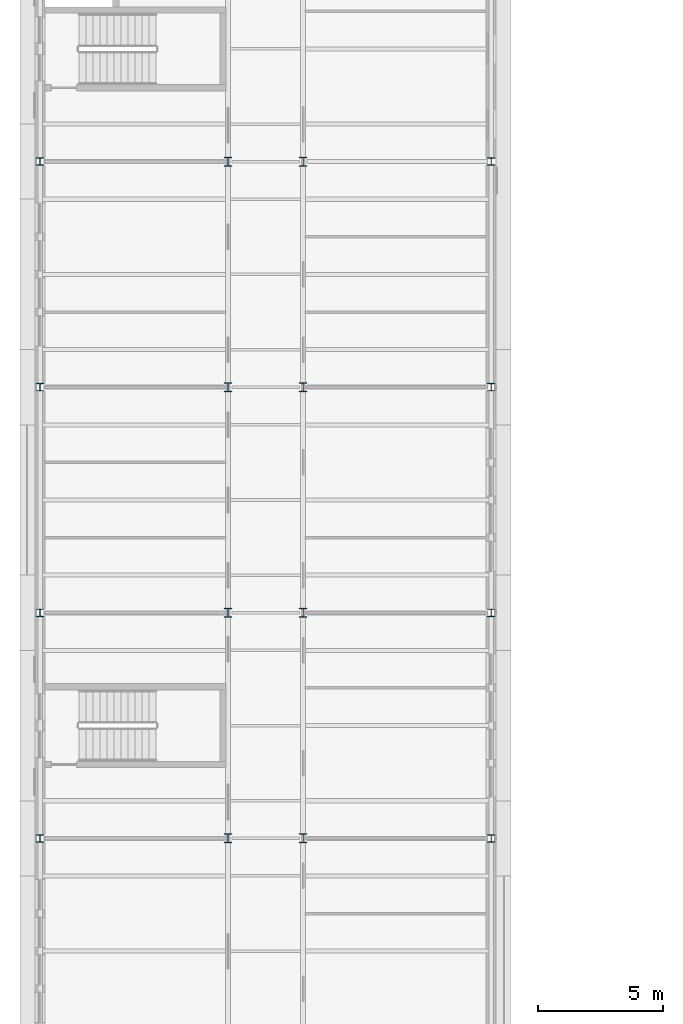
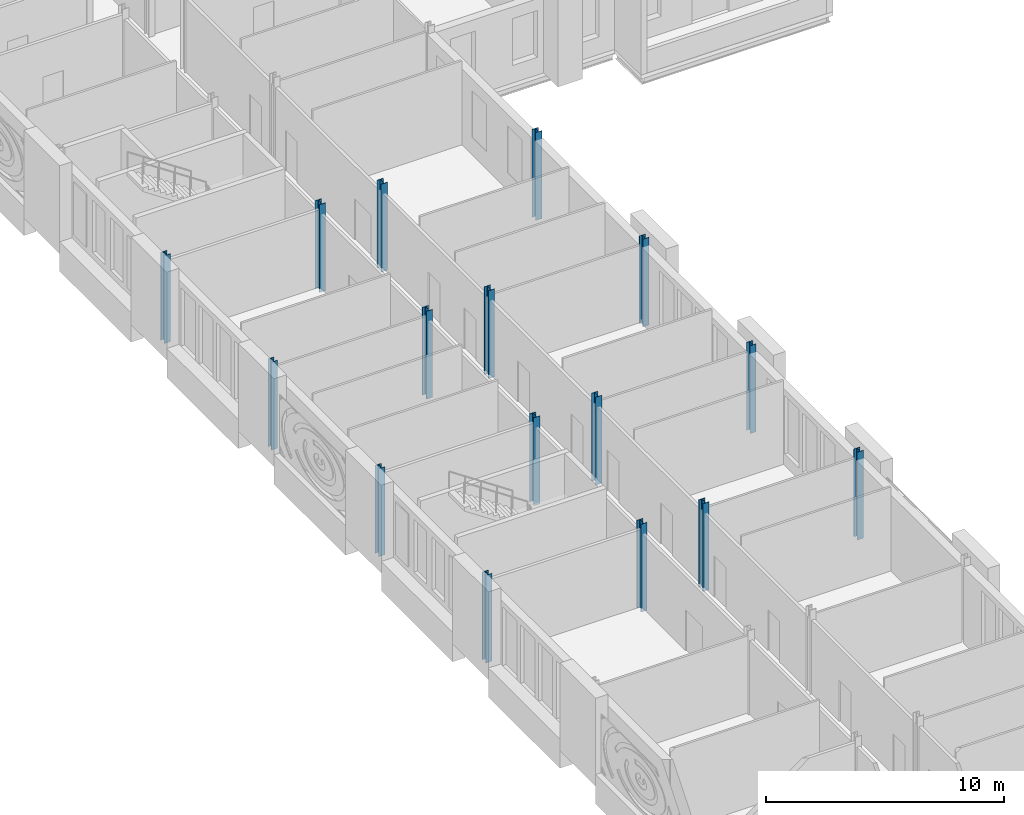
# One storey, part 3 of 134: 16 columns.
"""IFC4 building model written with IfcOpenShell, lengths in metres."""

from ifc_helpers import new_model, si_unit, direction, frame, origin, origin_2d, place, context, subcontext, project, spatial, i_section, extrude, material, material_profile, profile_set, type_object, element, save


model = new_model("IFC4")

# Units and contexts
model_context = context("Model", 3, precision=1e-05, world=origin(), true_north=direction((0.0, 1.0)))
body_context = subcontext(model_context, "Body", "Model", "MODEL_VIEW")
ifc_project = project(units=[si_unit("LENGTHUNIT", "METRE"), si_unit("AREAUNIT", "SQUARE_METRE"), si_unit("VOLUMEUNIT", "CUBIC_METRE"), si_unit("PLANEANGLEUNIT", "RADIAN"), si_unit("MASSUNIT", "GRAM", prefix="KILO")], contexts=[model_context])

# Site, building, storey
site_placement = place(None, origin())
site = spatial("IfcSite", under=ifc_project, at=site_placement, CompositionType="ELEMENT")
building_placement = place(site_placement, origin())
building = spatial("IfcBuilding", under=site, at=building_placement, Name="Golden Quay Civic Hall", CompositionType="ELEMENT")
storey_placement = place(building_placement, frame((0.0, 0.0, 5.39990234375)))
storey = spatial("IfcBuildingStorey", under=building, at=storey_placement, Name="L01", CompositionType="ELEMENT", Elevation=5.39990234375)

# Columns
ifc_material_1 = material(Name="Steel S355", Category="steel")
ifc_material_profile_1 = material_profile(ifc_material_1, i_section(OverallWidth=0.300048828125, OverallDepth=0.300048828125, WebThickness=0.010986328125, FlangeThickness=0.01904296875, FilletRadius=0.027099609375, at=origin_2d()), Name="HEB 300")
ifc_profile_set_1 = profile_set([ifc_material_profile_1], Name="Steel S355")
column_type_1 = type_object("IfcColumnType", Name="Steel column HEB 300", PredefinedType="COLUMN", material=ifc_profile_set_1)
for number, where, z_axis, x_axis, name in (
    (1, (0.0, 27.0, -0.199951171875), (0.0, 0.0, 1.0), (1.0, 0.0, 0.0), "Column 0/27 L01"),
    (2, (0.0, 36.0, -0.199951171875), (0.0, 0.0, 1.0), (1.0, 0.0, 0.0), "Column 0/36 L01"),
    (3, (0.0, 45.0, -0.199951171875), (0.0, 0.0, 1.0), (1.0, 0.0, 0.0), "Column 0/45 L01"),
    (4, (0.0, 54.0, -0.199951171875), (0.0, 0.0, 1.0), (1.0, 0.0, 0.0), "Column 0/54 L01"),
    (5, (18.0, 27.0, -0.199951171875), (0.0, 0.0, 1.0), (1.0, 0.0, 0.0), "Column 18/27 L01"),
    (6, (18.0, 36.0, -0.199951171875), (0.0, 0.0, 1.0), (1.0, 0.0, 0.0), "Column 18/36 L01"),
    (7, (18.0, 45.0, -0.199951171875), (0.0, 0.0, 1.0), (1.0, 0.0, 0.0), "Column 18/45 L01"),
    (8, (18.0, 54.0, -0.199951171875), (0.0, 0.0, 1.0), (1.0, 0.0, 0.0), "Column 18/54 L01"),
):
    element("IfcColumn", number, at=place(storey_placement, frame(where, z_axis=z_axis, x_axis=x_axis)), inside=storey, type_object=column_type_1, Name=name, PredefinedType="COLUMN", context=body_context, shape_type="SweptSolid", body=[
        extrude(i_section(OverallWidth=0.300048828125, OverallDepth=0.300048828125, WebThickness=0.010986328125, FlangeThickness=0.01904296875, FilletRadius=0.027099609375, at=origin_2d()), origin(), (0.0, 0.0, 1.0), 4.5),
    ])
ifc_material_2 = material(Name="Steel S355", Category="steel")
ifc_material_profile_2 = material_profile(ifc_material_2, i_section(OverallWidth=0.300048828125, OverallDepth=0.360107421875, WebThickness=0.012451171875, FlangeThickness=0.0224609375, FilletRadius=0.027099609375, at=origin_2d()), Name="HEB 360")
ifc_profile_set_2 = profile_set([ifc_material_profile_2], Name="Steel S355")
column_type_2 = type_object("IfcColumnType", Name="Steel column HEB 360", PredefinedType="COLUMN", material=ifc_profile_set_2)
for number, where, z_axis, x_axis, name in (
    (9, (7.5, 27.0, -0.199951171875), (0.0, 0.0, 1.0), (1.0, 0.0, 0.0), "Column 7.5/27 L01"),
    (10, (7.5, 36.0, -0.199951171875), (0.0, 0.0, 1.0), (1.0, 0.0, 0.0), "Column 7.5/36 L01"),
    (11, (7.5, 45.0, -0.199951171875), (0.0, 0.0, 1.0), (1.0, 0.0, 0.0), "Column 7.5/45 L01"),
    (12, (7.5, 54.0, -0.199951171875), (0.0, 0.0, 1.0), (1.0, 0.0, 0.0), "Column 7.5/54 L01"),
    (13, (10.5, 27.0, -0.199951171875), (0.0, 0.0, 1.0), (1.0, 0.0, 0.0), "Column 10.5/27 L01"),
    (14, (10.5, 36.0, -0.199951171875), (0.0, 0.0, 1.0), (1.0, 0.0, 0.0), "Column 10.5/36 L01"),
    (15, (10.5, 45.0, -0.199951171875), (0.0, 0.0, 1.0), (1.0, 0.0, 0.0), "Column 10.5/45 L01"),
    (16, (10.5, 54.0, -0.199951171875), (0.0, 0.0, 1.0), (1.0, 0.0, 0.0), "Column 10.5/54 L01"),
):
    element("IfcColumn", number, at=place(storey_placement, frame(where, z_axis=z_axis, x_axis=x_axis)), inside=storey, type_object=column_type_2, Name=name, PredefinedType="COLUMN", context=body_context, shape_type="SweptSolid", body=[
        extrude(i_section(OverallWidth=0.300048828125, OverallDepth=0.360107421875, WebThickness=0.012451171875, FlangeThickness=0.0224609375, FilletRadius=0.027099609375, at=origin_2d()), origin(), (0.0, 0.0, 1.0), 4.5),
    ])

save(model, "model.ifc")
